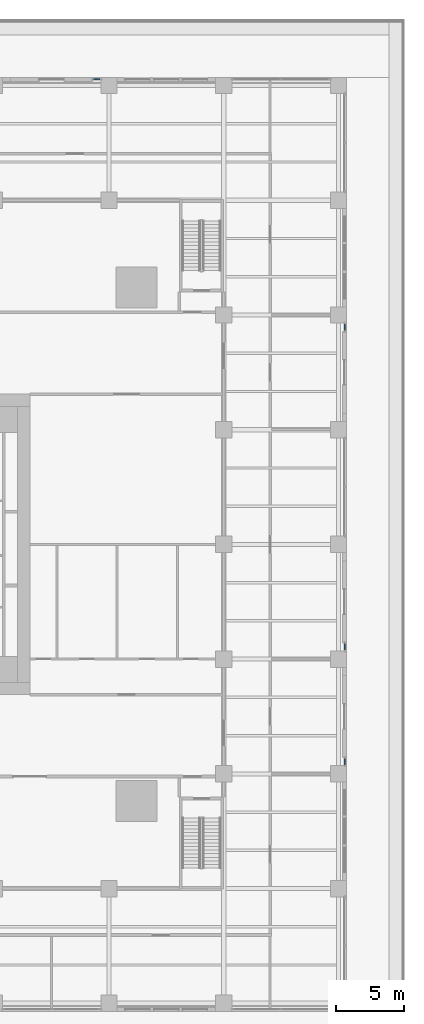
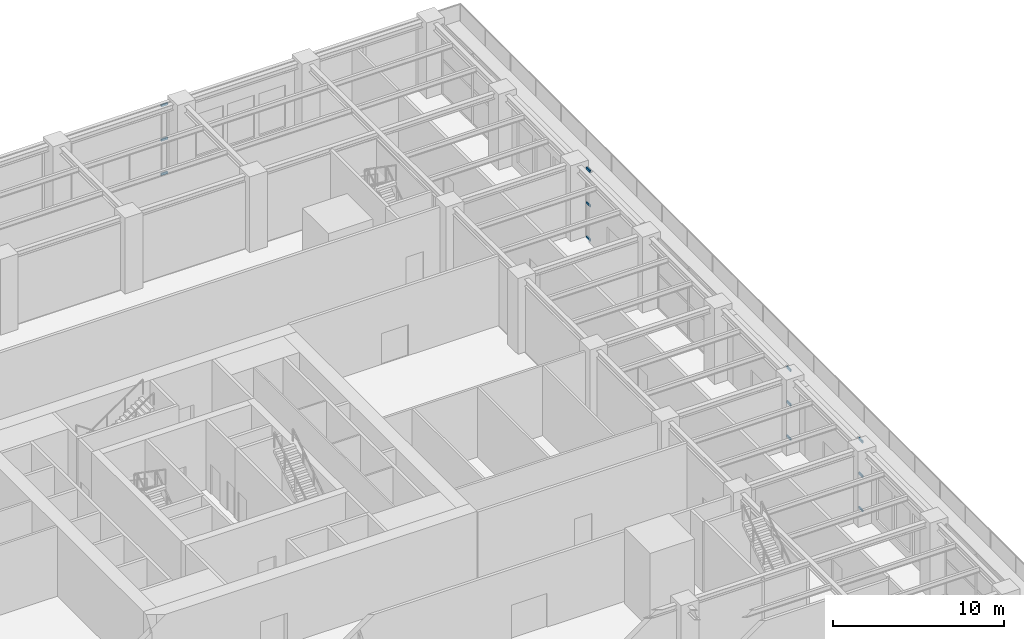
# One storey, part 12 of 36: 12 members, 4 elements without a shape of their own.
"""IFC4 building model written with IfcOpenShell, lengths in metres."""

from ifc_helpers import new_model, si_unit, direction, frame, origin, origin_2d, place, context, subcontext, project, spatial, rectangle, extrude, material, material_profile, profile_set, type_object, element, aggregate, save


model = new_model("IFC4")

# Units and contexts
model_context = context("Model", 3, precision=1e-05, world=origin(), true_north=direction((0.0, 1.0)))
body_context = subcontext(model_context, "Body", "Model", "MODEL_VIEW")
ifc_project = project(units=[si_unit("LENGTHUNIT", "METRE"), si_unit("AREAUNIT", "SQUARE_METRE"), si_unit("VOLUMEUNIT", "CUBIC_METRE"), si_unit("PLANEANGLEUNIT", "RADIAN"), si_unit("MASSUNIT", "GRAM", prefix="KILO")], contexts=[model_context])

# Site, building, storey
site_placement = place(None, origin())
site = spatial("IfcSite", under=ifc_project, at=site_placement, CompositionType="ELEMENT")
building_placement = place(site_placement, origin())
building = spatial("IfcBuilding", under=site, at=building_placement, Name="Khepri Terraces", CompositionType="ELEMENT")
storey_placement = place(building_placement, frame((0.0, 0.0, 16.800048828125)))
storey = spatial("IfcBuildingStorey", under=building, at=storey_placement, Name="L03", CompositionType="ELEMENT", Elevation=16.800048828125)

# Curtain wall, members
ifc_material_1 = material(Name="Anodised aluminium bronze curtain wall", Category="aluminium")
curtain_wall_type = type_object("IfcCurtainWallType", Name="CW-SYS5-BALLROOM", PredefinedType="NOTDEFINED", material=ifc_material_1)
curtain_wall_1_placement = place(storey_placement, origin())
curtain_wall_1 = element("IfcCurtainWall", 1, at=curtain_wall_1_placement, inside=storey, type_object=curtain_wall_type, Name="Curtain wall CW5 L03 E", PredefinedType="NOTDEFINED")
ifc_material_2 = material(Name="Anodised aluminium bronze", Category="aluminium")
ifc_material_profile = material_profile(ifc_material_2, rectangle(XDim=0.080078125, YDim=0.159912109375, at=origin_2d()), Name="Anodised aluminium bronze", Category="aluminium")
ifc_profile_set = profile_set([ifc_material_profile], Name="Anodised aluminium bronze")
member_type = type_object("IfcMemberType", Name="CW-TRANSOM-80x160", PredefinedType="USERDEFINED", material=ifc_profile_set)
member_1_placement = place(storey_placement, frame((34.050048828125, -16.1201171875, 0.0400390625), z_axis=(0.0, 1.0, 0.0), x_axis=(-1.0, 0.0, 0.0)))
member_1 = element("IfcMember", 2, at=member_1_placement, type_object=member_type, Name="CW5 transom 1.1", ObjectType="TRANSOM", PredefinedType="USERDEFINED", context=body_context, shape_type="SweptSolid", body=[
    extrude(rectangle(XDim=0.080078125, YDim=0.159912109375, at=origin_2d()), origin(), (0.0, 0.0, 1.0), 0.440185546875),
])
member_2_placement = place(storey_placement, frame((34.050048828125, -16.1201171875, 2.489990234375), z_axis=(0.0, 1.0, 0.0), x_axis=(-1.0, 0.0, 0.0)))
member_2 = element("IfcMember", 3, at=member_2_placement, type_object=member_type, Name="CW5 transom 1.2", ObjectType="TRANSOM", PredefinedType="USERDEFINED", context=body_context, shape_type="SweptSolid", body=[
    extrude(rectangle(XDim=0.080078125, YDim=0.159912109375, at=origin_2d()), origin(), (0.0, 0.0, 1.0), 0.440185546875),
])
member_3_placement = place(storey_placement, frame((34.050048828125, -16.1201171875, 4.93994140625), z_axis=(0.0, 1.0, 0.0), x_axis=(-1.0, 0.0, 0.0)))
member_3 = element("IfcMember", 4, at=member_3_placement, type_object=member_type, Name="CW5 transom 1.3", ObjectType="TRANSOM", PredefinedType="USERDEFINED", context=body_context, shape_type="SweptSolid", body=[
    extrude(rectangle(XDim=0.080078125, YDim=0.159912109375, at=origin_2d()), origin(), (0.0, 0.0, 1.0), 0.440185546875),
])
aggregate(curtain_wall_1, [member_1, member_2, member_3])

curtain_wall_2_placement = place(storey_placement, origin())
curtain_wall_2 = element("IfcCurtainWall", 5, at=curtain_wall_2_placement, inside=storey, type_object=curtain_wall_type, Name="Curtain wall CW5 L03 E", PredefinedType="NOTDEFINED")
member_4_placement = place(storey_placement, frame((34.050048828125, -7.719970703125, 0.0400390625), z_axis=(0.0, 1.0, 0.0), x_axis=(-1.0, 0.0, 0.0)))
member_4 = element("IfcMember", 6, at=member_4_placement, type_object=member_type, Name="CW5 transom 1.1", ObjectType="TRANSOM", PredefinedType="USERDEFINED", context=body_context, shape_type="SweptSolid", body=[
    extrude(rectangle(XDim=0.080078125, YDim=0.159912109375, at=origin_2d()), origin(), (0.0, 0.0, 1.0), 0.43994140625),
])
member_5_placement = place(storey_placement, frame((34.050048828125, -7.719970703125, 2.489990234375), z_axis=(0.0, 1.0, 0.0), x_axis=(-1.0, 0.0, 0.0)))
member_5 = element("IfcMember", 7, at=member_5_placement, type_object=member_type, Name="CW5 transom 1.2", ObjectType="TRANSOM", PredefinedType="USERDEFINED", context=body_context, shape_type="SweptSolid", body=[
    extrude(rectangle(XDim=0.080078125, YDim=0.159912109375, at=origin_2d()), origin(), (0.0, 0.0, 1.0), 0.43994140625),
])
member_6_placement = place(storey_placement, frame((34.050048828125, -7.719970703125, 4.93994140625), z_axis=(0.0, 1.0, 0.0), x_axis=(-1.0, 0.0, 0.0)))
member_6 = element("IfcMember", 8, at=member_6_placement, type_object=member_type, Name="CW5 transom 1.3", ObjectType="TRANSOM", PredefinedType="USERDEFINED", context=body_context, shape_type="SweptSolid", body=[
    extrude(rectangle(XDim=0.080078125, YDim=0.159912109375, at=origin_2d()), origin(), (0.0, 0.0, 1.0), 0.43994140625),
])
aggregate(curtain_wall_2, [member_4, member_5, member_6])

curtain_wall_3_placement = place(storey_placement, origin())
curtain_wall_3 = element("IfcCurtainWall", 9, at=curtain_wall_3_placement, inside=storey, type_object=curtain_wall_type, Name="Curtain wall CW5 L03 E", PredefinedType="NOTDEFINED")
member_7_placement = place(storey_placement, frame((34.050048828125, 15.679931640625, 0.0400390625), z_axis=(0.0, 1.0, 0.0), x_axis=(-1.0, 0.0, 0.0)))
member_7 = element("IfcMember", 10, at=member_7_placement, type_object=member_type, Name="CW5 transom 1.1", ObjectType="TRANSOM", PredefinedType="USERDEFINED", context=body_context, shape_type="SweptSolid", body=[
    extrude(rectangle(XDim=0.080078125, YDim=0.159912109375, at=origin_2d()), origin(), (0.0, 0.0, 1.0), 0.440185546875),
])
member_8_placement = place(storey_placement, frame((34.050048828125, 15.679931640625, 2.489990234375), z_axis=(0.0, 1.0, 0.0), x_axis=(-1.0, 0.0, 0.0)))
member_8 = element("IfcMember", 11, at=member_8_placement, type_object=member_type, Name="CW5 transom 1.2", ObjectType="TRANSOM", PredefinedType="USERDEFINED", context=body_context, shape_type="SweptSolid", body=[
    extrude(rectangle(XDim=0.080078125, YDim=0.159912109375, at=origin_2d()), origin(), (0.0, 0.0, 1.0), 0.440185546875),
])
member_9_placement = place(storey_placement, frame((34.050048828125, 15.679931640625, 4.93994140625), z_axis=(0.0, 1.0, 0.0), x_axis=(-1.0, 0.0, 0.0)))
member_9 = element("IfcMember", 12, at=member_9_placement, type_object=member_type, Name="CW5 transom 1.3", ObjectType="TRANSOM", PredefinedType="USERDEFINED", context=body_context, shape_type="SweptSolid", body=[
    extrude(rectangle(XDim=0.080078125, YDim=0.159912109375, at=origin_2d()), origin(), (0.0, 0.0, 1.0), 0.440185546875),
])
aggregate(curtain_wall_3, [member_7, member_8, member_9])

curtain_wall_4_placement = place(storey_placement, origin())
curtain_wall_4 = element("IfcCurtainWall", 13, at=curtain_wall_4_placement, inside=storey, type_object=curtain_wall_type, Name="Curtain wall CW5 L03 N", PredefinedType="NOTDEFINED")
member_10_placement = place(storey_placement, frame((16.1201171875, 34.050048828125, 0.0400390625), z_axis=(-1.0, 0.0, 0.0), x_axis=(0.0, -1.0, 0.0)))
member_10 = element("IfcMember", 14, at=member_10_placement, type_object=member_type, Name="CW5 transom 1.1", ObjectType="TRANSOM", PredefinedType="USERDEFINED", context=body_context, shape_type="SweptSolid", body=[
    extrude(rectangle(XDim=0.080078125, YDim=0.159912109375, at=origin_2d()), origin(), (0.0, 0.0, 1.0), 0.440185546875),
])
member_11_placement = place(storey_placement, frame((16.1201171875, 34.050048828125, 2.489990234375), z_axis=(-1.0, 0.0, 0.0), x_axis=(0.0, -1.0, 0.0)))
member_11 = element("IfcMember", 15, at=member_11_placement, type_object=member_type, Name="CW5 transom 1.2", ObjectType="TRANSOM", PredefinedType="USERDEFINED", context=body_context, shape_type="SweptSolid", body=[
    extrude(rectangle(XDim=0.080078125, YDim=0.159912109375, at=origin_2d()), origin(), (0.0, 0.0, 1.0), 0.440185546875),
])
member_12_placement = place(storey_placement, frame((16.1201171875, 34.050048828125, 4.93994140625), z_axis=(-1.0, 0.0, 0.0), x_axis=(0.0, -1.0, 0.0)))
member_12 = element("IfcMember", 16, at=member_12_placement, type_object=member_type, Name="CW5 transom 1.3", ObjectType="TRANSOM", PredefinedType="USERDEFINED", context=body_context, shape_type="SweptSolid", body=[
    extrude(rectangle(XDim=0.080078125, YDim=0.159912109375, at=origin_2d()), origin(), (0.0, 0.0, 1.0), 0.440185546875),
])
aggregate(curtain_wall_4, [member_10, member_11, member_12])

save(model, "model.ifc")
